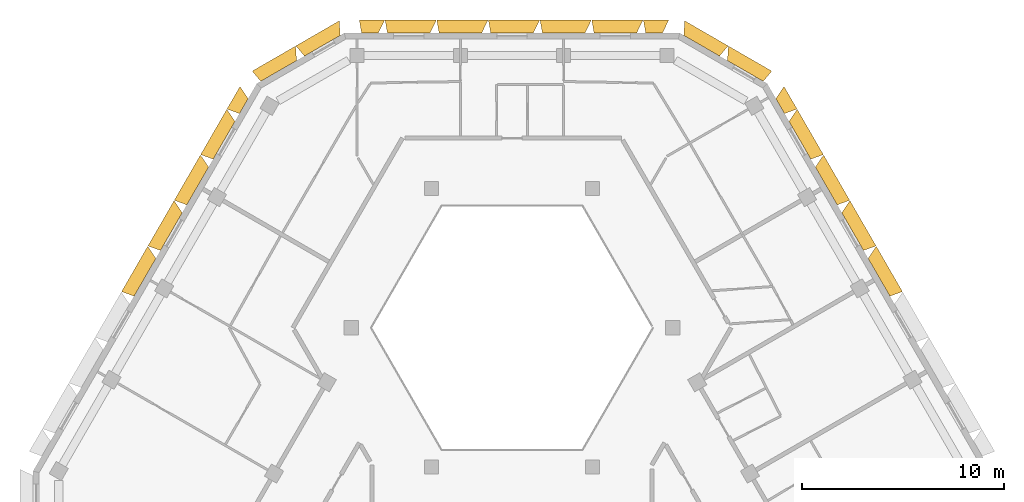
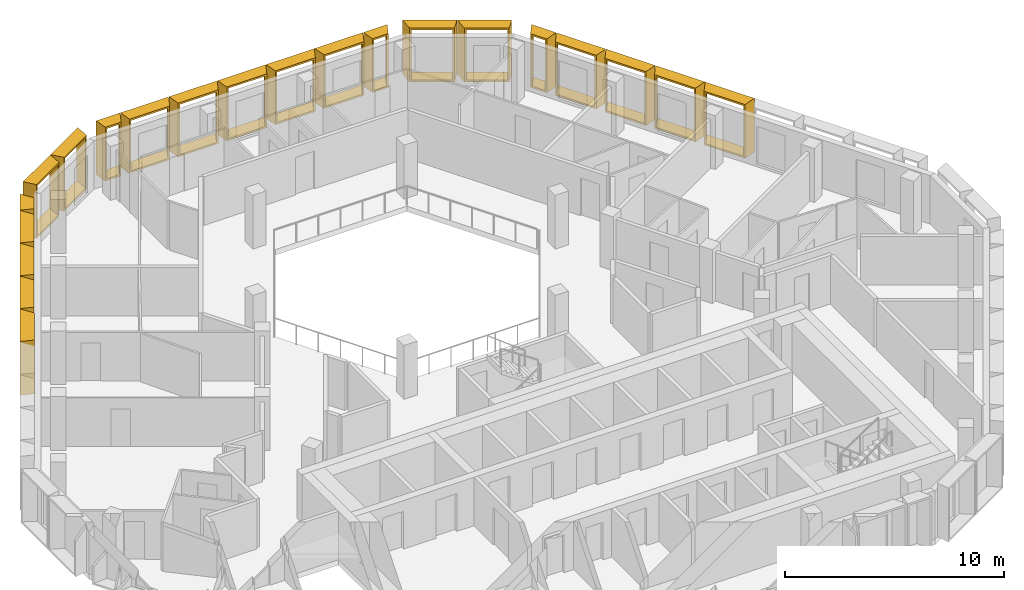
# One storey, part 14 of 14: 21 shading devices.
"""IFC4 building model written with IfcOpenShell, lengths in metres."""

from ifc_helpers import new_model, entity, si_unit, direction, frame, origin, place, context, subcontext, project, spatial, source, transform, mapped, material, type_object, type_shapes, element, save


model = new_model("IFC4")

# Units and contexts
model_context = context("Model", 3, precision=1e-05, world=origin(), true_north=direction((0.0, 1.0)))
body_context = subcontext(model_context, "Body", "Model", "MODEL_VIEW")
ifc_project = project(units=[si_unit("LENGTHUNIT", "METRE"), si_unit("AREAUNIT", "SQUARE_METRE"), si_unit("VOLUMEUNIT", "CUBIC_METRE"), si_unit("PLANEANGLEUNIT", "RADIAN"), si_unit("MASSUNIT", "GRAM", prefix="KILO")], contexts=[model_context])

# Site, building, storey
site_placement = place(None, origin())
site = spatial("IfcSite", under=ifc_project, at=site_placement, CompositionType="ELEMENT")
building_placement = place(site_placement, origin())
building = spatial("IfcBuilding", under=site, at=building_placement, Name="Beryl Residences", CompositionType="ELEMENT")
storey_placement = place(building_placement, frame((0.0, 0.0, 229.800048828125)))
storey = spatial("IfcBuildingStorey", under=building, at=storey_placement, Name="L71", CompositionType="ELEMENT", Elevation=229.800048828125)

# Shading devices
ifc_material_1 = material(Name="Aluminium pale anodised", Category="aluminium")
shading_device_type_1 = type_object("IfcShadingDeviceType", Name="FR128-65B OUTER SKIN frame 650 mm deep, splay 26/10 deg, 1280 x 3000 mm cell", PredefinedType="USERDEFINED", material=ifc_material_1)
cartesian_point_1 = entity("IfcCartesianPoint", [-0.4140625, 0.0])
cartesian_point_2 = entity("IfcCartesianPoint", [-0.324951171875, 0.10009765625])
cartesian_point_3 = entity("IfcCartesianPoint", [-0.73095703125, 0.0])
cartesian_point_4 = entity("IfcCartesianPoint", [-0.64208984375, 0.10009765625])
shared_shape_1 = source(origin(), body_context, "Body", "SweptSolid", [
    entity("IfcExtrudedAreaSolidTapered", entity("IfcArbitraryProfileDefWithVoids", "AREA", None, entity("IfcPolyline", [cartesian_point_1, entity("IfcCartesianPoint", [0.4140625, 0.0]), entity("IfcCartesianPoint", [0.4140625, 3.0]), entity("IfcCartesianPoint", [-0.4140625, 3.0]), cartesian_point_1]), [entity("IfcPolyline", [cartesian_point_2, entity("IfcCartesianPoint", [0.332763671875, 0.10009765625]), entity("IfcCartesianPoint", [0.332763671875, 2.89990234375]), entity("IfcCartesianPoint", [-0.324951171875, 2.89990234375]), cartesian_point_2])]), entity("IfcAxis2Placement3D", entity("IfcCartesianPoint", [0.0, 0.0, 0.0]), entity("IfcDirection", [0.0, 1.0, 0.0]), entity("IfcDirection", [-1.0, 0.0, 0.0])), entity("IfcDirection", [0.0, 0.0, 1.0]), 0.64990234375, entity("IfcArbitraryProfileDefWithVoids", "AREA", None, entity("IfcPolyline", [cartesian_point_3, entity("IfcCartesianPoint", [0.528564453125, 0.0]), entity("IfcCartesianPoint", [0.528564453125, 3.0]), entity("IfcCartesianPoint", [-0.73095703125, 3.0]), cartesian_point_3]), [entity("IfcPolyline", [cartesian_point_4, entity("IfcCartesianPoint", [0.447265625, 0.10009765625]), entity("IfcCartesianPoint", [0.447265625, 2.89990234375]), entity("IfcCartesianPoint", [-0.64208984375, 2.89990234375]), cartesian_point_4])])),
])
type_shapes(shading_device_type_1, [shared_shape_1])
for number, where, z_axis, x_axis, name in (
    (1, (7.0390625, 22.60009765625, 0.0), (0.0, 0.0, 1.0), (1.0, 0.0, 0.0), "FR128-65B frame L71 N 1"),
    (2, (-7.0380859375, 22.60009765625, 0.0), (0.0, 0.0, 1.0), (1.0, 0.0, 0.0), "FR128-65B frame L71 N 7"),
):
    element("IfcShadingDevice", number, at=place(storey_placement, frame(where, z_axis=z_axis, x_axis=x_axis)), inside=storey, type_object=shading_device_type_1, Name=name, ObjectType="OUTER SKIN", PredefinedType="USERDEFINED", context=body_context, shape_type="MappedRepresentation", body=[
        mapped(shared_shape_1, transform((0.0, 0.0, 0.0))),
    ])
ifc_material_2 = material(Name="Aluminium pale anodised", Category="aluminium")
shading_device_type_2 = type_object("IfcShadingDeviceType", Name="FR131-65B OUTER SKIN frame 650 mm deep, splay 26/10 deg, 1310 x 3000 mm cell", PredefinedType="USERDEFINED", material=ifc_material_2)
cartesian_point_5 = entity("IfcCartesianPoint", [-0.428955078125, 0.0])
cartesian_point_6 = entity("IfcCartesianPoint", [-0.340087890625, 0.10009765625])
cartesian_point_7 = entity("IfcCartesianPoint", [-0.74609375, 0.0])
cartesian_point_8 = entity("IfcCartesianPoint", [-0.656982421875, 0.10009765625])
shared_shape_2 = source(origin(), body_context, "Body", "SweptSolid", [
    entity("IfcExtrudedAreaSolidTapered", entity("IfcArbitraryProfileDefWithVoids", "AREA", None, entity("IfcPolyline", [cartesian_point_5, entity("IfcCartesianPoint", [0.428955078125, 0.0]), entity("IfcCartesianPoint", [0.428955078125, 3.0]), entity("IfcCartesianPoint", [-0.428955078125, 3.0]), cartesian_point_5]), [entity("IfcPolyline", [cartesian_point_6, entity("IfcCartesianPoint", [0.34765625, 0.10009765625]), entity("IfcCartesianPoint", [0.34765625, 2.89990234375]), entity("IfcCartesianPoint", [-0.340087890625, 2.89990234375]), cartesian_point_6])]), entity("IfcAxis2Placement3D", entity("IfcCartesianPoint", [0.0, 0.0, 0.0]), entity("IfcDirection", [0.0, 1.0, 0.0]), entity("IfcDirection", [-1.0, 0.0, 0.0])), entity("IfcDirection", [0.0, 0.0, 1.0]), 0.64990234375, entity("IfcArbitraryProfileDefWithVoids", "AREA", None, entity("IfcPolyline", [cartesian_point_7, entity("IfcCartesianPoint", [0.543701171875, 0.0]), entity("IfcCartesianPoint", [0.543701171875, 3.0]), entity("IfcCartesianPoint", [-0.74609375, 3.0]), cartesian_point_7]), [entity("IfcPolyline", [cartesian_point_8, entity("IfcCartesianPoint", [0.46240234375, 0.10009765625]), entity("IfcCartesianPoint", [0.46240234375, 2.89990234375]), entity("IfcCartesianPoint", [-0.656982421875, 2.89990234375]), cartesian_point_8])])),
])
type_shapes(shading_device_type_2, [shared_shape_2])
shading_device_1_placement = place(storey_placement, frame((-13.2880859375, 18.98388671875, 0.0), z_axis=(0.0, 0.0, 1.0), x_axis=(0.5, 0.866025403784, 0.0)))
element("IfcShadingDevice", 3, at=shading_device_1_placement, inside=storey, type_object=shading_device_type_2, Name="FR131-65B frame L71 NW 1", ObjectType="OUTER SKIN", PredefinedType="USERDEFINED", context=body_context, shape_type="MappedRepresentation", body=[
    mapped(shared_shape_2, transform((0.0, 0.0, 0.0))),
])
ifc_material_3 = material(Name="Aluminium pale anodised", Category="aluminium")
shading_device_type_3 = type_object("IfcShadingDeviceType", Name="FR131-65C OUTER SKIN frame 650 mm deep, splay 10/26 deg, 1310 x 3000 mm cell", PredefinedType="USERDEFINED", material=ifc_material_3)
cartesian_point_9 = entity("IfcCartesianPoint", [-0.428955078125, 0.0])
cartesian_point_10 = entity("IfcCartesianPoint", [-0.34765625, 0.10009765625])
cartesian_point_11 = entity("IfcCartesianPoint", [-0.543701171875, 0.0])
cartesian_point_12 = entity("IfcCartesianPoint", [-0.46240234375, 0.10009765625])
shared_shape_3 = source(origin(), body_context, "Body", "SweptSolid", [
    entity("IfcExtrudedAreaSolidTapered", entity("IfcArbitraryProfileDefWithVoids", "AREA", None, entity("IfcPolyline", [cartesian_point_9, entity("IfcCartesianPoint", [0.428955078125, 0.0]), entity("IfcCartesianPoint", [0.428955078125, 3.0]), entity("IfcCartesianPoint", [-0.428955078125, 3.0]), cartesian_point_9]), [entity("IfcPolyline", [cartesian_point_10, entity("IfcCartesianPoint", [0.340087890625, 0.10009765625]), entity("IfcCartesianPoint", [0.340087890625, 2.89990234375]), entity("IfcCartesianPoint", [-0.34765625, 2.89990234375]), cartesian_point_10])]), entity("IfcAxis2Placement3D", entity("IfcCartesianPoint", [0.0, 0.0, 0.0]), entity("IfcDirection", [0.0, 1.0, 0.0]), entity("IfcDirection", [-1.0, 0.0, 0.0])), entity("IfcDirection", [0.0, 0.0, 1.0]), 0.64990234375, entity("IfcArbitraryProfileDefWithVoids", "AREA", None, entity("IfcPolyline", [cartesian_point_11, entity("IfcCartesianPoint", [0.74609375, 0.0]), entity("IfcCartesianPoint", [0.74609375, 3.0]), entity("IfcCartesianPoint", [-0.543701171875, 3.0]), cartesian_point_11]), [entity("IfcPolyline", [cartesian_point_12, entity("IfcCartesianPoint", [0.656982421875, 0.10009765625]), entity("IfcCartesianPoint", [0.656982421875, 2.89990234375]), entity("IfcCartesianPoint", [-0.46240234375, 2.89990234375]), cartesian_point_12])])),
])
type_shapes(shading_device_type_3, [shared_shape_3])
shading_device_2_placement = place(storey_placement, frame((13.2880859375, 18.98388671875, 0.0), z_axis=(0.0, 0.0, 1.0), x_axis=(0.5, -0.866025403784, 0.0)))
element("IfcShadingDevice", 4, at=shading_device_2_placement, inside=storey, type_object=shading_device_type_3, Name="FR131-65C frame L71 NE 9", ObjectType="OUTER SKIN", PredefinedType="USERDEFINED", context=body_context, shape_type="MappedRepresentation", body=[
    mapped(shared_shape_3, transform((0.0, 0.0, 0.0))),
])
ifc_material_4 = material(Name="Aluminium pale anodised", Category="aluminium")
shading_device_type_4 = type_object("IfcShadingDeviceType", Name="FR250-65B OUTER SKIN frame 650 mm deep, splay 26/10 deg, 2500 x 3000 mm cell", PredefinedType="USERDEFINED", material=ifc_material_4)
cartesian_point_13 = entity("IfcCartesianPoint", [-1.02392578125, 0.0])
cartesian_point_14 = entity("IfcCartesianPoint", [-0.93505859375, 0.10009765625])
cartesian_point_15 = entity("IfcCartesianPoint", [-1.341064453125, 0.0])
cartesian_point_16 = entity("IfcCartesianPoint", [-1.251953125, 0.10009765625])
shared_shape_4 = source(origin(), body_context, "Body", "SweptSolid", [
    entity("IfcExtrudedAreaSolidTapered", entity("IfcArbitraryProfileDefWithVoids", "AREA", None, entity("IfcPolyline", [cartesian_point_13, entity("IfcCartesianPoint", [1.02392578125, 0.0]), entity("IfcCartesianPoint", [1.02392578125, 3.0]), entity("IfcCartesianPoint", [-1.02392578125, 3.0]), cartesian_point_13]), [entity("IfcPolyline", [cartesian_point_14, entity("IfcCartesianPoint", [0.94287109375, 0.10009765625]), entity("IfcCartesianPoint", [0.94287109375, 2.89990234375]), entity("IfcCartesianPoint", [-0.93505859375, 2.89990234375]), cartesian_point_14])]), entity("IfcAxis2Placement3D", entity("IfcCartesianPoint", [0.0, 0.0, 0.0]), entity("IfcDirection", [0.0, 1.0, 0.0]), entity("IfcDirection", [-1.0, 0.0, 0.0])), entity("IfcDirection", [0.0, 0.0, 1.0]), 0.64990234375, entity("IfcArbitraryProfileDefWithVoids", "AREA", None, entity("IfcPolyline", [cartesian_point_15, entity("IfcCartesianPoint", [1.138671875, 0.0]), entity("IfcCartesianPoint", [1.138671875, 3.0]), entity("IfcCartesianPoint", [-1.341064453125, 3.0]), cartesian_point_15]), [entity("IfcPolyline", [cartesian_point_16, entity("IfcCartesianPoint", [1.057373046875, 0.10009765625]), entity("IfcCartesianPoint", [1.057373046875, 2.89990234375]), entity("IfcCartesianPoint", [-1.251953125, 2.89990234375]), cartesian_point_16])])),
])
type_shapes(shading_device_type_4, [shared_shape_4])
for number, where, z_axis, x_axis, name in (
    (5, (-9.39599609375, 21.97509765625, 0.0), (0.0, 0.0, 1.0), (0.866025403784, 0.5, 0.0), "FR250-65B frame L71 N-NW 1"),
    (6, (-11.56103515625, 20.72509765625, 0.0), (0.0, 0.0, 1.0), (0.866025403784, 0.5, 0.0), "FR250-65B frame L71 N-NW 2"),
):
    element("IfcShadingDevice", number, at=place(storey_placement, frame(where, z_axis=z_axis, x_axis=x_axis)), inside=storey, type_object=shading_device_type_4, Name=name, ObjectType="OUTER SKIN", PredefinedType="USERDEFINED", context=body_context, shape_type="MappedRepresentation", body=[
        mapped(shared_shape_4, transform((0.0, 0.0, 0.0))),
    ])
ifc_material_5 = material(Name="Aluminium pale anodised", Category="aluminium")
shading_device_type_5 = type_object("IfcShadingDeviceType", Name="FR250-65C OUTER SKIN frame 650 mm deep, splay 10/26 deg, 2500 x 3000 mm cell", PredefinedType="USERDEFINED", material=ifc_material_5)
cartesian_point_17 = entity("IfcCartesianPoint", [-1.02392578125, 0.0])
cartesian_point_18 = entity("IfcCartesianPoint", [-0.94287109375, 0.10009765625])
cartesian_point_19 = entity("IfcCartesianPoint", [-1.138671875, 0.0])
cartesian_point_20 = entity("IfcCartesianPoint", [-1.057373046875, 0.10009765625])
shared_shape_5 = source(origin(), body_context, "Body", "SweptSolid", [
    entity("IfcExtrudedAreaSolidTapered", entity("IfcArbitraryProfileDefWithVoids", "AREA", None, entity("IfcPolyline", [cartesian_point_17, entity("IfcCartesianPoint", [1.02392578125, 0.0]), entity("IfcCartesianPoint", [1.02392578125, 3.0]), entity("IfcCartesianPoint", [-1.02392578125, 3.0]), cartesian_point_17]), [entity("IfcPolyline", [cartesian_point_18, entity("IfcCartesianPoint", [0.93505859375, 0.10009765625]), entity("IfcCartesianPoint", [0.93505859375, 2.89990234375]), entity("IfcCartesianPoint", [-0.94287109375, 2.89990234375]), cartesian_point_18])]), entity("IfcAxis2Placement3D", entity("IfcCartesianPoint", [0.0, 0.0, 0.0]), entity("IfcDirection", [0.0, 1.0, 0.0]), entity("IfcDirection", [-1.0, 0.0, 0.0])), entity("IfcDirection", [0.0, 0.0, 1.0]), 0.64990234375, entity("IfcArbitraryProfileDefWithVoids", "AREA", None, entity("IfcPolyline", [cartesian_point_19, entity("IfcCartesianPoint", [1.341064453125, 0.0]), entity("IfcCartesianPoint", [1.341064453125, 3.0]), entity("IfcCartesianPoint", [-1.138671875, 3.0]), cartesian_point_19]), [entity("IfcPolyline", [cartesian_point_20, entity("IfcCartesianPoint", [1.251953125, 0.10009765625]), entity("IfcCartesianPoint", [1.251953125, 2.89990234375]), entity("IfcCartesianPoint", [-1.057373046875, 2.89990234375]), cartesian_point_20])])),
])
type_shapes(shading_device_type_5, [shared_shape_5])
for number, where, z_axis, x_axis, name in (
    (7, (11.56103515625, 20.72509765625, 0.0), (0.0, 0.0, 1.0), (0.866025403784, -0.5, 0.0), "FR250-65C frame L71 NE-N 1"),
    (8, (9.39599609375, 21.97509765625, 0.0), (0.0, 0.0, 1.0), (0.866025403784, -0.5, 0.0), "FR250-65C frame L71 NE-N 2"),
):
    element("IfcShadingDevice", number, at=place(storey_placement, frame(where, z_axis=z_axis, x_axis=x_axis)), inside=storey, type_object=shading_device_type_5, Name=name, ObjectType="OUTER SKIN", PredefinedType="USERDEFINED", context=body_context, shape_type="MappedRepresentation", body=[
        mapped(shared_shape_5, transform((0.0, 0.0, 0.0))),
    ])
ifc_material_6 = material(Name="Aluminium pale anodised", Category="aluminium")
shading_device_type_6 = type_object("IfcShadingDeviceType", Name="FR256-65B OUTER SKIN frame 650 mm deep, splay 26/10 deg, 2560 x 3000 mm cell", PredefinedType="USERDEFINED", material=ifc_material_6)
cartesian_point_21 = entity("IfcCartesianPoint", [-1.053955078125, 0.0])
cartesian_point_22 = entity("IfcCartesianPoint", [-0.965087890625, 0.10009765625])
cartesian_point_23 = entity("IfcCartesianPoint", [-1.37109375, 0.0])
cartesian_point_24 = entity("IfcCartesianPoint", [-1.281982421875, 0.10009765625])
shared_shape_6 = source(origin(), body_context, "Body", "SweptSolid", [
    entity("IfcExtrudedAreaSolidTapered", entity("IfcArbitraryProfileDefWithVoids", "AREA", None, entity("IfcPolyline", [cartesian_point_21, entity("IfcCartesianPoint", [1.053955078125, 0.0]), entity("IfcCartesianPoint", [1.053955078125, 3.0]), entity("IfcCartesianPoint", [-1.053955078125, 3.0]), cartesian_point_21]), [entity("IfcPolyline", [cartesian_point_22, entity("IfcCartesianPoint", [0.97265625, 0.10009765625]), entity("IfcCartesianPoint", [0.97265625, 2.89990234375]), entity("IfcCartesianPoint", [-0.965087890625, 2.89990234375]), cartesian_point_22])]), entity("IfcAxis2Placement3D", entity("IfcCartesianPoint", [0.0, 0.0, 0.0]), entity("IfcDirection", [0.0, 1.0, 0.0]), entity("IfcDirection", [-1.0, 0.0, 0.0])), entity("IfcDirection", [0.0, 0.0, 1.0]), 0.64990234375, entity("IfcArbitraryProfileDefWithVoids", "AREA", None, entity("IfcPolyline", [cartesian_point_23, entity("IfcCartesianPoint", [1.168701171875, 0.0]), entity("IfcCartesianPoint", [1.168701171875, 3.0]), entity("IfcCartesianPoint", [-1.37109375, 3.0]), cartesian_point_23]), [entity("IfcPolyline", [cartesian_point_24, entity("IfcCartesianPoint", [1.08740234375, 0.10009765625]), entity("IfcCartesianPoint", [1.08740234375, 2.89990234375]), entity("IfcCartesianPoint", [-1.281982421875, 2.89990234375]), cartesian_point_24])])),
])
type_shapes(shading_device_type_6, [shared_shape_6])
for number, where, z_axis, x_axis, name in (
    (9, (5.1201171875, 22.60009765625, 0.0), (0.0, 0.0, 1.0), (1.0, 0.0, 0.0), "FR256-65B frame L71 N 2"),
    (10, (2.56005859375, 22.60009765625, 0.0), (0.0, 0.0, 1.0), (1.0, 0.0, 0.0), "FR256-65B frame L71 N 3"),
    (11, (0.0, 22.60009765625, 0.0), (0.0, 0.0, 1.0), (1.0, 0.0, 0.0), "FR256-65B frame L71 N 4"),
    (12, (-2.55908203125, 22.60009765625, 0.0), (0.0, 0.0, 1.0), (1.0, 0.0, 0.0), "FR256-65B frame L71 N 5"),
    (13, (-5.118896484375, 22.60009765625, 0.0), (0.0, 0.0, 1.0), (1.0, 0.0, 0.0), "FR256-65B frame L71 N 6"),
):
    element("IfcShadingDevice", number, at=place(storey_placement, frame(where, z_axis=z_axis, x_axis=x_axis)), inside=storey, type_object=shading_device_type_6, Name=name, ObjectType="OUTER SKIN", PredefinedType="USERDEFINED", context=body_context, shape_type="MappedRepresentation", body=[
        mapped(shared_shape_6, transform((0.0, 0.0, 0.0))),
    ])
ifc_material_7 = material(Name="Aluminium pale anodised", Category="aluminium")
shading_device_type_7 = type_object("IfcShadingDeviceType", Name="FR261-65B OUTER SKIN frame 650 mm deep, splay 26/10 deg, 2610 x 3000 mm cell", PredefinedType="USERDEFINED", material=ifc_material_7)
cartesian_point_25 = entity("IfcCartesianPoint", [-1.0791015625, 0.0])
cartesian_point_26 = entity("IfcCartesianPoint", [-0.989990234375, 0.10009765625])
cartesian_point_27 = entity("IfcCartesianPoint", [-1.39599609375, 0.0])
cartesian_point_28 = entity("IfcCartesianPoint", [-1.30712890625, 0.10009765625])
shared_shape_7 = source(origin(), body_context, "Body", "SweptSolid", [
    entity("IfcExtrudedAreaSolidTapered", entity("IfcArbitraryProfileDefWithVoids", "AREA", None, entity("IfcPolyline", [cartesian_point_25, entity("IfcCartesianPoint", [1.0791015625, 0.0]), entity("IfcCartesianPoint", [1.0791015625, 3.0]), entity("IfcCartesianPoint", [-1.0791015625, 3.0]), cartesian_point_25]), [entity("IfcPolyline", [cartesian_point_26, entity("IfcCartesianPoint", [0.997802734375, 0.10009765625]), entity("IfcCartesianPoint", [0.997802734375, 2.89990234375]), entity("IfcCartesianPoint", [-0.989990234375, 2.89990234375]), cartesian_point_26])]), entity("IfcAxis2Placement3D", entity("IfcCartesianPoint", [0.0, 0.0, 0.0]), entity("IfcDirection", [0.0, 1.0, 0.0]), entity("IfcDirection", [-1.0, 0.0, 0.0])), entity("IfcDirection", [0.0, 0.0, 1.0]), 0.64990234375, entity("IfcArbitraryProfileDefWithVoids", "AREA", None, entity("IfcPolyline", [cartesian_point_27, entity("IfcCartesianPoint", [1.193603515625, 0.0]), entity("IfcCartesianPoint", [1.193603515625, 3.0]), entity("IfcCartesianPoint", [-1.39599609375, 3.0]), cartesian_point_27]), [entity("IfcPolyline", [cartesian_point_28, entity("IfcCartesianPoint", [1.1123046875, 0.10009765625]), entity("IfcCartesianPoint", [1.1123046875, 2.89990234375]), entity("IfcCartesianPoint", [-1.30712890625, 2.89990234375]), cartesian_point_28])])),
])
type_shapes(shading_device_type_7, [shared_shape_7])
for number, where, z_axis, x_axis, name in (
    (14, (-14.26708984375, 17.2880859375, 0.0), (0.0, 0.0, 1.0), (0.5, 0.866025403784, 0.0), "FR261-65B frame L71 NW 2"),
    (15, (-15.573974609375, 15.02490234375, 0.0), (0.0, 0.0, 1.0), (0.5, 0.866025403784, 0.0), "FR261-65B frame L71 NW 3"),
    (16, (-16.8798828125, 12.762939453125, 0.0), (0.0, 0.0, 1.0), (0.5, 0.866025403784, 0.0), "FR261-65B frame L71 NW 4"),
    (17, (-18.18603515625, 10.5, 0.0), (0.0, 0.0, 1.0), (0.5, 0.866025403784, 0.0), "FR261-65B frame L71 NW 5"),
):
    element("IfcShadingDevice", number, at=place(storey_placement, frame(where, z_axis=z_axis, x_axis=x_axis)), inside=storey, type_object=shading_device_type_7, Name=name, ObjectType="OUTER SKIN", PredefinedType="USERDEFINED", context=body_context, shape_type="MappedRepresentation", body=[
        mapped(shared_shape_7, transform((0.0, 0.0, 0.0))),
    ])
ifc_material_8 = material(Name="Aluminium pale anodised", Category="aluminium")
shading_device_type_8 = type_object("IfcShadingDeviceType", Name="FR261-65C OUTER SKIN frame 650 mm deep, splay 10/26 deg, 2610 x 3000 mm cell", PredefinedType="USERDEFINED", material=ifc_material_8)
cartesian_point_29 = entity("IfcCartesianPoint", [-1.0791015625, 0.0])
cartesian_point_30 = entity("IfcCartesianPoint", [-0.997802734375, 0.10009765625])
cartesian_point_31 = entity("IfcCartesianPoint", [-1.193603515625, 0.0])
cartesian_point_32 = entity("IfcCartesianPoint", [-1.1123046875, 0.10009765625])
shared_shape_8 = source(origin(), body_context, "Body", "SweptSolid", [
    entity("IfcExtrudedAreaSolidTapered", entity("IfcArbitraryProfileDefWithVoids", "AREA", None, entity("IfcPolyline", [cartesian_point_29, entity("IfcCartesianPoint", [1.0791015625, 0.0]), entity("IfcCartesianPoint", [1.0791015625, 3.0]), entity("IfcCartesianPoint", [-1.0791015625, 3.0]), cartesian_point_29]), [entity("IfcPolyline", [cartesian_point_30, entity("IfcCartesianPoint", [0.989990234375, 0.10009765625]), entity("IfcCartesianPoint", [0.989990234375, 2.89990234375]), entity("IfcCartesianPoint", [-0.997802734375, 2.89990234375]), cartesian_point_30])]), entity("IfcAxis2Placement3D", entity("IfcCartesianPoint", [0.0, 0.0, 0.0]), entity("IfcDirection", [0.0, 1.0, 0.0]), entity("IfcDirection", [-1.0, 0.0, 0.0])), entity("IfcDirection", [0.0, 0.0, 1.0]), 0.64990234375, entity("IfcArbitraryProfileDefWithVoids", "AREA", None, entity("IfcPolyline", [cartesian_point_31, entity("IfcCartesianPoint", [1.39599609375, 0.0]), entity("IfcCartesianPoint", [1.39599609375, 3.0]), entity("IfcCartesianPoint", [-1.193603515625, 3.0]), cartesian_point_31]), [entity("IfcPolyline", [cartesian_point_32, entity("IfcCartesianPoint", [1.30712890625, 0.10009765625]), entity("IfcCartesianPoint", [1.30712890625, 2.89990234375]), entity("IfcCartesianPoint", [-1.1123046875, 2.89990234375]), cartesian_point_32])])),
])
type_shapes(shading_device_type_8, [shared_shape_8])
for number, where, z_axis, x_axis, name in (
    (18, (18.18603515625, 10.5, 0.0), (0.0, 0.0, 1.0), (0.5, -0.866025403784, 0.0), "FR261-65C frame L71 NE 5"),
    (19, (16.8798828125, 12.762939453125, 0.0), (0.0, 0.0, 1.0), (0.5, -0.866025403784, 0.0), "FR261-65C frame L71 NE 6"),
    (20, (15.573974609375, 15.02490234375, 0.0), (0.0, 0.0, 1.0), (0.5, -0.866025403784, 0.0), "FR261-65C frame L71 NE 7"),
    (21, (14.26708984375, 17.2880859375, 0.0), (0.0, 0.0, 1.0), (0.5, -0.866025403784, 0.0), "FR261-65C frame L71 NE 8"),
):
    element("IfcShadingDevice", number, at=place(storey_placement, frame(where, z_axis=z_axis, x_axis=x_axis)), inside=storey, type_object=shading_device_type_8, Name=name, ObjectType="OUTER SKIN", PredefinedType="USERDEFINED", context=body_context, shape_type="MappedRepresentation", body=[
        mapped(shared_shape_8, transform((0.0, 0.0, 0.0))),
    ])

save(model, "model.ifc")
